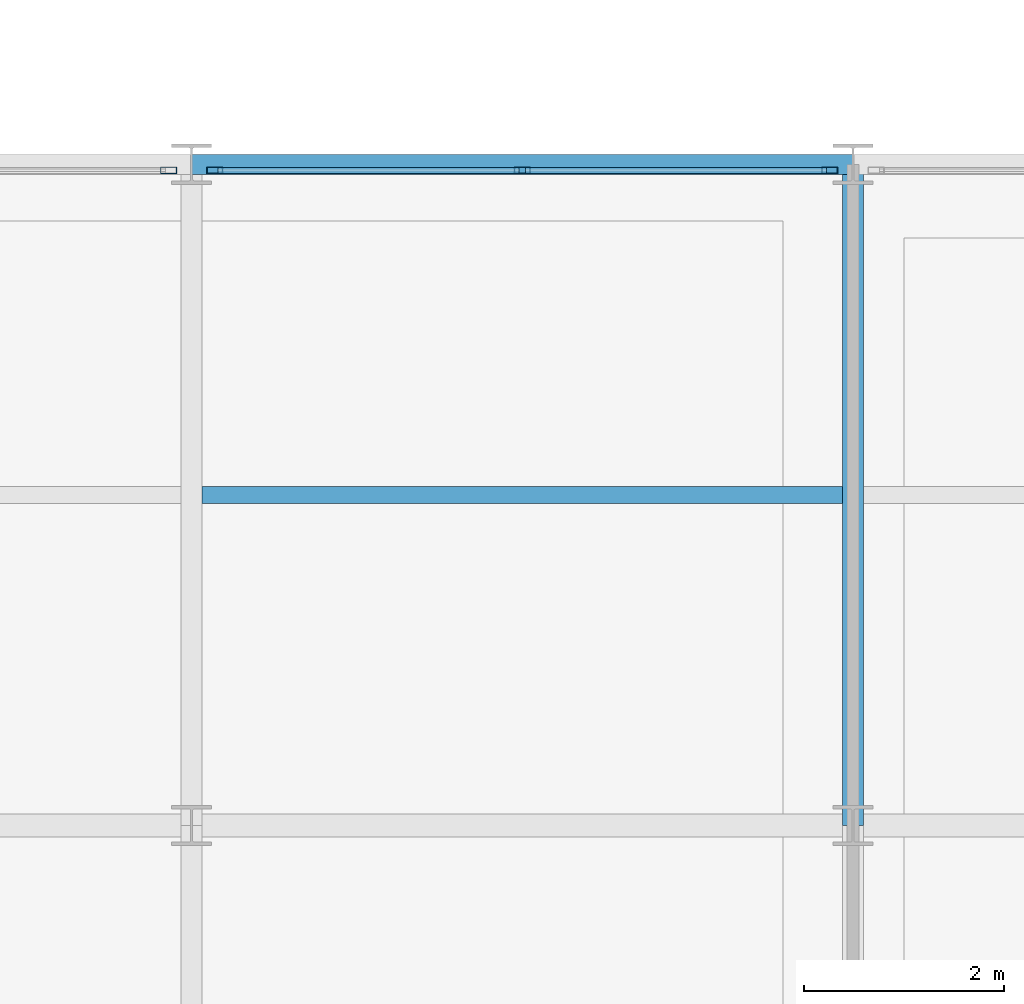
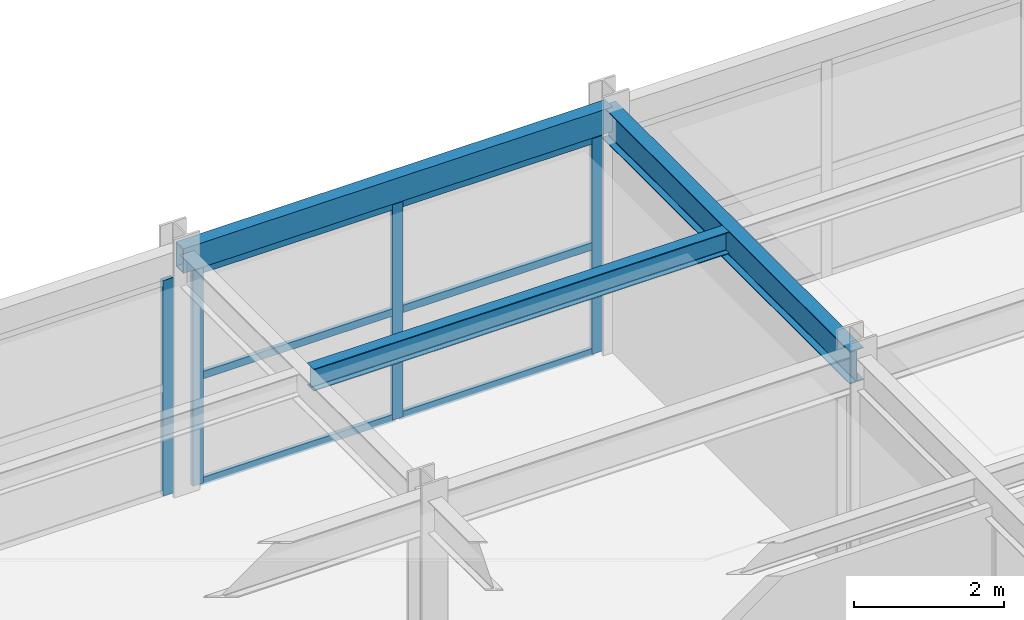
# One storey, part 91 of 147: 10 members, 3 beams, 2 elements without a shape of their own.
"""IFC4 building model written with IfcOpenShell, lengths in metres."""

from ifc_helpers import new_model, si_unit, direction, frame, origin, origin_2d, place, context, subcontext, project, spatial, hollow_rectangle, i_section, extrude, material, material_profile, profile_set, type_object, element, aggregate, save


model = new_model("IFC4")

# Units and contexts
model_context = context("Model", 3, precision=1e-05, world=origin(), true_north=direction((0.0, 1.0)))
body_context = subcontext(model_context, "Body", "Model", "MODEL_VIEW")
ifc_project = project(units=[si_unit("LENGTHUNIT", "METRE"), si_unit("AREAUNIT", "SQUARE_METRE"), si_unit("VOLUMEUNIT", "CUBIC_METRE"), si_unit("PLANEANGLEUNIT", "RADIAN"), si_unit("MASSUNIT", "GRAM", prefix="KILO")], contexts=[model_context])

# Site, building, storey
site_placement = place(None, origin())
site = spatial("IfcSite", under=ifc_project, at=site_placement, CompositionType="ELEMENT")
building_placement = place(site_placement, origin())
building = spatial("IfcBuilding", under=site, at=building_placement, Name="Karori Crest Natural Sciences Institute", CompositionType="ELEMENT")
storey_placement = place(building_placement, frame((0.0, 0.0, 9.10009765625)))
storey = spatial("IfcBuildingStorey", under=building, at=storey_placement, Name="L02", CompositionType="ELEMENT", Elevation=9.10009765625)

# Beams
ifc_material_1 = material(Name="Structural steel AS/NZS 3679.1 Grade 350", Category="steel")
ifc_material_profile_1 = material_profile(ifc_material_1, i_section(OverallWidth=0.208984375, OverallDepth=0.532958984375, WebThickness=0.01025390625, FlangeThickness=0.015625, FilletRadius=0.013916015625, at=origin_2d()), Name="530UB92.4")
ifc_profile_set_1 = profile_set([ifc_material_profile_1], Name="Structural steel AS/NZS 3679.1 Grade 350")
beam_type_1 = type_object("IfcBeamType", Name="BT-05", PredefinedType="BEAM", material=ifc_profile_set_1)
beam_1_placement = place(storey_placement, frame((136.60009765625, 14.0, 3.6533203125), z_axis=(0.0, 1.0, 0.0), x_axis=(-1.0, 0.0, 0.0)))
element("IfcBeam", 1, at=beam_1_placement, inside=storey, type_object=beam_type_1, Name="Beam B-2246", PredefinedType="BEAM", context=body_context, shape_type="SweptSolid", body=[
    extrude(i_section(OverallWidth=0.208984375, OverallDepth=0.532958984375, WebThickness=0.01025390625, FlangeThickness=0.015625, FilletRadius=0.013916015625, at=origin_2d()), origin(), (0.0, 0.0, 1.0), 6.60009765625),
])
ifc_material_profile_2 = material_profile(ifc_material_1, i_section(OverallWidth=0.172119140625, OverallDepth=0.35888671875, WebThickness=0.008056640625, FlangeThickness=0.012939453125, FilletRadius=0.010986328125, at=origin_2d()), Name="360UB56.7")
ifc_profile_set_2 = profile_set([ifc_material_profile_2], Name="Structural steel AS/NZS 3679.1 Grade 350")
beam_type_2 = type_object("IfcBeamType", Name="BT-08", PredefinedType="BEAM", material=ifc_profile_set_2)
beam_2_placement = place(storey_placement, frame((130.1044921875, 17.300048828125, 3.740478515625), z_axis=(1.0, 0.0, 0.0), x_axis=(0.0, 1.0, 0.0)))
element("IfcBeam", 2, at=beam_2_placement, inside=storey, type_object=beam_type_2, Name="Beam B-2269", PredefinedType="BEAM", context=body_context, shape_type="SweptSolid", body=[
    extrude(i_section(OverallWidth=0.172119140625, OverallDepth=0.35888671875, WebThickness=0.008056640625, FlangeThickness=0.012939453125, FilletRadius=0.010986328125, at=origin_2d()), origin(), (0.0, 0.0, 1.0), 6.39111328125),
])
ifc_material_2 = material(Name="Hollow structural steel AS/NZS 1163 Grade C350", Category="steel")
ifc_material_profile_3 = material_profile(ifc_material_2, hollow_rectangle(XDim=0.199951171875, YDim=0.39990234375, WallThickness=0.012451171875, at=origin_2d()), Name="RHS400x200x12.5")
ifc_profile_set_3 = profile_set([ifc_material_profile_3], Name="Hollow structural steel AS/NZS 1163 Grade C350")
beam_type_3 = type_object("IfcBeamType", Name="BT-14", PredefinedType="SPANDREL", material=ifc_profile_set_3)
beam_3_placement = place(storey_placement, frame((130.0, 20.60009765625, 3.719970703125), z_axis=(1.0, 0.0, 0.0), x_axis=(0.0, 1.0, 0.0)))
element("IfcBeam", 3, at=beam_3_placement, inside=storey, type_object=beam_type_3, Name="Beam B-2224", PredefinedType="SPANDREL", context=body_context, shape_type="SweptSolid", body=[
    extrude(hollow_rectangle(XDim=0.199951171875, YDim=0.39990234375, WallThickness=0.012451171875, at=origin_2d()), origin(), (0.0, 0.0, 1.0), 6.60009765625),
])

# Curtain wall, member
ifc_material_3 = material(Name="Anodised architectural aluminium 6063-T6", Category="aluminium")
curtain_wall_type = type_object("IfcCurtainWallType", Name="CWT-20", PredefinedType="NOTDEFINED", material=ifc_material_3)
curtain_wall_1_placement = place(storey_placement, origin())
curtain_wall_1 = element("IfcCurtainWall", 4, at=curtain_wall_1_placement, inside=storey, type_object=curtain_wall_type, Name="Curtain wall CW-0316", PredefinedType="NOTDEFINED")
ifc_material_profile_4 = material_profile(ifc_material_3, hollow_rectangle(XDim=0.06494140625, YDim=0.159912109375, WallThickness=0.00390625, at=origin_2d()), Name="CWM160x65x4")
ifc_profile_set_4 = profile_set([ifc_material_profile_4], Name="Anodised architectural aluminium 6063-T6")
member_type_1 = type_object("IfcMemberType", Name="CWM-01", PredefinedType="MULLION", material=ifc_profile_set_4)
member_1_placement = place(storey_placement, frame((129.76953125, 20.5400390625, 0.0), z_axis=(0.0, 0.0, 1.0), x_axis=(0.0, 1.0, 0.0)))
member_1 = element("IfcMember", 5, at=member_1_placement, type_object=member_type_1, Name="CW-0316 mullion 3", PredefinedType="MULLION", context=body_context, shape_type="SweptSolid", body=[
    extrude(hollow_rectangle(XDim=0.06494140625, YDim=0.159912109375, WallThickness=0.00390625, at=origin_2d()), origin(), (0.0, 0.0, 1.0), 3.5048828125),
])
aggregate(curtain_wall_1, [member_1])

# Curtain wall, members
curtain_wall_2_placement = place(storey_placement, origin())
curtain_wall_2 = element("IfcCurtainWall", 6, at=curtain_wall_2_placement, inside=storey, type_object=curtain_wall_type, Name="Curtain wall CW-0317", PredefinedType="NOTDEFINED")
member_2_placement = place(storey_placement, frame((130.23046875, 20.5400390625, 0.0), z_axis=(0.0, 0.0, 1.0), x_axis=(0.0, 1.0, 0.0)))
member_2 = element("IfcMember", 7, at=member_2_placement, type_object=member_type_1, Name="CW-0317 mullion 1", PredefinedType="MULLION", context=body_context, shape_type="SweptSolid", body=[
    extrude(hollow_rectangle(XDim=0.06494140625, YDim=0.159912109375, WallThickness=0.00390625, at=origin_2d()), origin(), (0.0, 0.0, 1.0), 3.5048828125),
])
member_3_placement = place(storey_placement, frame((133.300048828125, 20.5400390625, 0.0), z_axis=(0.0, 0.0, 1.0), x_axis=(0.0, 1.0, 0.0)))
member_3 = element("IfcMember", 8, at=member_3_placement, type_object=member_type_1, Name="CW-0317 mullion 2", PredefinedType="MULLION", context=body_context, shape_type="SweptSolid", body=[
    extrude(hollow_rectangle(XDim=0.06494140625, YDim=0.159912109375, WallThickness=0.00390625, at=origin_2d()), origin(), (0.0, 0.0, 1.0), 3.5048828125),
])
member_4_placement = place(storey_placement, frame((136.369384765625, 20.5400390625, 0.0), z_axis=(0.0, 0.0, 1.0), x_axis=(0.0, 1.0, 0.0)))
member_4 = element("IfcMember", 9, at=member_4_placement, type_object=member_type_1, Name="CW-0317 mullion 3", PredefinedType="MULLION", context=body_context, shape_type="SweptSolid", body=[
    extrude(hollow_rectangle(XDim=0.06494140625, YDim=0.159912109375, WallThickness=0.00390625, at=origin_2d()), origin(), (0.0, 0.0, 1.0), 3.5048828125),
])
ifc_material_profile_5 = material_profile(ifc_material_3, hollow_rectangle(XDim=0.06005859375, YDim=0.1201171875, WallThickness=0.00390625, at=origin_2d()), Name="CWT120x60x4")
ifc_profile_set_5 = profile_set([ifc_material_profile_5], Name="Anodised architectural aluminium 6063-T6")
member_type_2 = type_object("IfcMemberType", Name="CWT-TR1", PredefinedType="USERDEFINED", material=ifc_profile_set_5)
member_5_placement = place(storey_placement, frame((130.262939453125, 20.5400390625, 0.02978515625), z_axis=(1.0, 0.0, 0.0), x_axis=(0.0, 1.0, 0.0)))
member_5 = element("IfcMember", 10, at=member_5_placement, type_object=member_type_2, Name="CW-0317 transom 1.1", ObjectType="TRANSOM", PredefinedType="USERDEFINED", context=body_context, shape_type="SweptSolid", body=[
    extrude(hollow_rectangle(XDim=0.06005859375, YDim=0.1201171875, WallThickness=0.00390625, at=origin_2d()), origin(), (0.0, 0.0, 1.0), 3.004638671875),
])
member_6_placement = place(storey_placement, frame((130.262939453125, 20.5400390625, 1.75244140625), z_axis=(1.0, 0.0, 0.0), x_axis=(0.0, 1.0, 0.0)))
member_6 = element("IfcMember", 11, at=member_6_placement, type_object=member_type_2, Name="CW-0317 transom 1.2", ObjectType="TRANSOM", PredefinedType="USERDEFINED", context=body_context, shape_type="SweptSolid", body=[
    extrude(hollow_rectangle(XDim=0.06005859375, YDim=0.1201171875, WallThickness=0.00390625, at=origin_2d()), origin(), (0.0, 0.0, 1.0), 3.004638671875),
])
member_7_placement = place(storey_placement, frame((130.262939453125, 20.5400390625, 3.474853515625), z_axis=(1.0, 0.0, 0.0), x_axis=(0.0, 1.0, 0.0)))
member_7 = element("IfcMember", 12, at=member_7_placement, type_object=member_type_2, Name="CW-0317 transom 1.3", ObjectType="TRANSOM", PredefinedType="USERDEFINED", context=body_context, shape_type="SweptSolid", body=[
    extrude(hollow_rectangle(XDim=0.06005859375, YDim=0.1201171875, WallThickness=0.00390625, at=origin_2d()), origin(), (0.0, 0.0, 1.0), 3.004638671875),
])
member_8_placement = place(storey_placement, frame((133.33251953125, 20.5400390625, 0.02978515625), z_axis=(1.0, 0.0, 0.0), x_axis=(0.0, 1.0, 0.0)))
member_8 = element("IfcMember", 13, at=member_8_placement, type_object=member_type_2, Name="CW-0317 transom 2.1", ObjectType="TRANSOM", PredefinedType="USERDEFINED", context=body_context, shape_type="SweptSolid", body=[
    extrude(hollow_rectangle(XDim=0.06005859375, YDim=0.1201171875, WallThickness=0.00390625, at=origin_2d()), origin(), (0.0, 0.0, 1.0), 3.00439453125),
])
member_9_placement = place(storey_placement, frame((133.33251953125, 20.5400390625, 1.75244140625), z_axis=(1.0, 0.0, 0.0), x_axis=(0.0, 1.0, 0.0)))
member_9 = element("IfcMember", 14, at=member_9_placement, type_object=member_type_2, Name="CW-0317 transom 2.2", ObjectType="TRANSOM", PredefinedType="USERDEFINED", context=body_context, shape_type="SweptSolid", body=[
    extrude(hollow_rectangle(XDim=0.06005859375, YDim=0.1201171875, WallThickness=0.00390625, at=origin_2d()), origin(), (0.0, 0.0, 1.0), 3.00439453125),
])
member_10_placement = place(storey_placement, frame((133.33251953125, 20.5400390625, 3.474853515625), z_axis=(1.0, 0.0, 0.0), x_axis=(0.0, 1.0, 0.0)))
member_10 = element("IfcMember", 15, at=member_10_placement, type_object=member_type_2, Name="CW-0317 transom 2.3", ObjectType="TRANSOM", PredefinedType="USERDEFINED", context=body_context, shape_type="SweptSolid", body=[
    extrude(hollow_rectangle(XDim=0.06005859375, YDim=0.1201171875, WallThickness=0.00390625, at=origin_2d()), origin(), (0.0, 0.0, 1.0), 3.00439453125),
])
aggregate(curtain_wall_2, [member_2, member_3, member_4, member_5, member_6, member_7, member_8, member_9, member_10])

save(model, "model.ifc")
